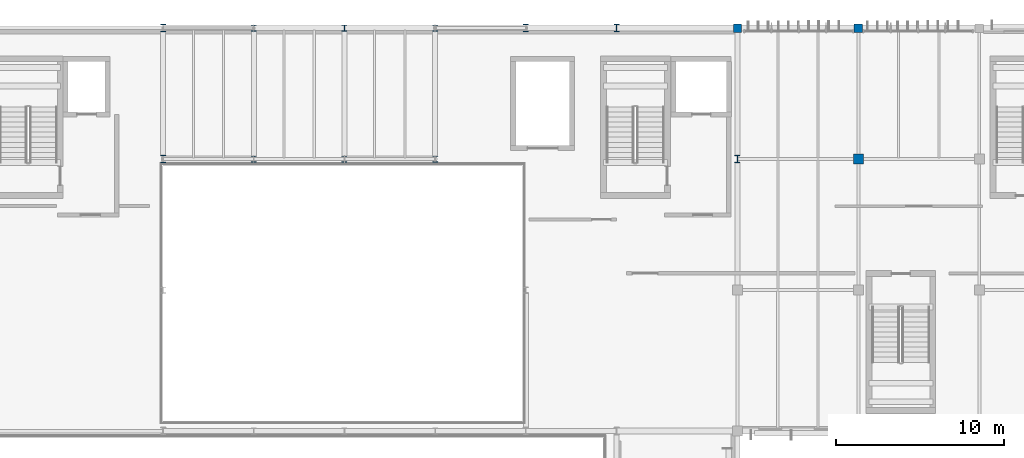
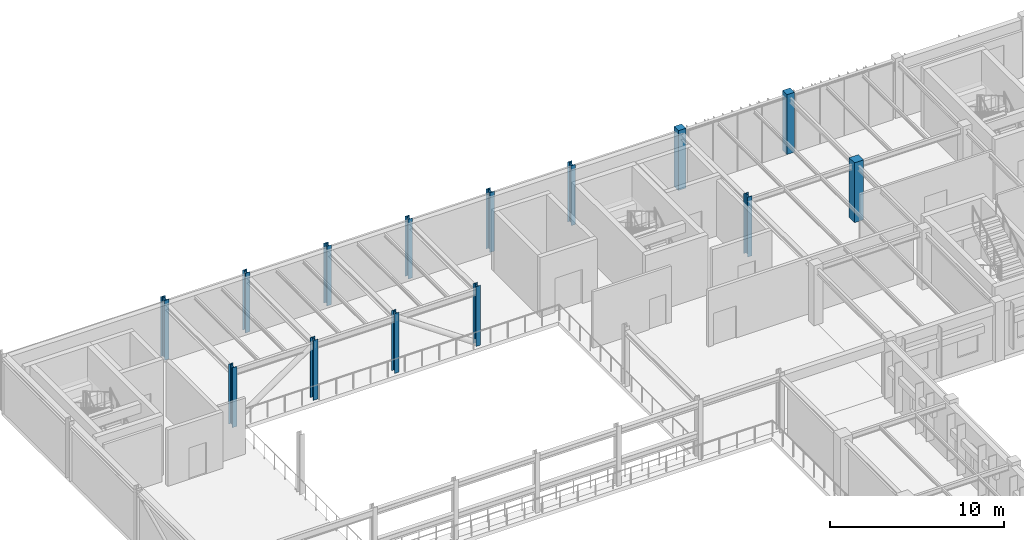
# One storey, part 10 of 104: 14 columns.
"""IFC4 building model written with IfcOpenShell, lengths in metres."""

from ifc_helpers import new_model, si_unit, direction, frame, origin, origin_2d, place, context, subcontext, project, spatial, rectangle, i_section, extrude, material, material_profile, profile_set, type_object, element, save


model = new_model("IFC4")

# Units and contexts
model_context = context("Model", 3, precision=1e-05, world=origin(), true_north=direction((0.0, 1.0)))
body_context = subcontext(model_context, "Body", "Model", "MODEL_VIEW")
ifc_project = project(units=[si_unit("LENGTHUNIT", "METRE"), si_unit("AREAUNIT", "SQUARE_METRE"), si_unit("VOLUMEUNIT", "CUBIC_METRE"), si_unit("PLANEANGLEUNIT", "RADIAN"), si_unit("MASSUNIT", "GRAM", prefix="KILO")], contexts=[model_context])

# Site, building, storey
site_placement = place(None, origin())
site = spatial("IfcSite", under=ifc_project, at=site_placement, CompositionType="ELEMENT")
building_placement = place(site_placement, origin())
building = spatial("IfcBuilding", under=site, at=building_placement, Name="Tazoul Stagehouse", CompositionType="ELEMENT")
storey_placement = place(building_placement, frame((0.0, 0.0, 9.0)))
storey = spatial("IfcBuildingStorey", under=building, at=storey_placement, Name="L02", CompositionType="ELEMENT", Elevation=9.0)

# Columns
ifc_material_1 = material(Name="Concrete C40/50", Category="concrete")
ifc_material_profile_1 = material_profile(ifc_material_1, rectangle(XDim=0.5, YDim=0.5, at=origin_2d()), Name="RC 500x500")
ifc_profile_set_1 = profile_set([ifc_material_profile_1], Name="Concrete C40/50")
column_type_1 = type_object("IfcColumnType", Name="RC Column 500x500 (Exterior)", PredefinedType="COLUMN", material=ifc_profile_set_1)
for number, where, z_axis, x_axis, name in (
    (1, (102.60009765625, 111.800048828125, 0.0), (0.0, 0.0, 1.0), (1.0, 0.0, 0.0), "L02 Column C-02E at 16/R"),
    (2, (109.800048828125, 111.800048828125, 0.0), (0.0, 0.0, 1.0), (1.0, 0.0, 0.0), "L02 Column C-02E at 17/R"),
):
    element("IfcColumn", number, at=place(storey_placement, frame(where, z_axis=z_axis, x_axis=x_axis)), inside=storey, type_object=column_type_1, Name=name, PredefinedType="COLUMN", context=body_context, shape_type="SweptSolid", body=[
        extrude(rectangle(XDim=0.5, YDim=0.5, at=origin_2d()), origin(), (0.0, 0.0, 1.0), 4.199951171875),
    ])
ifc_material_profile_2 = material_profile(ifc_material_1, rectangle(XDim=0.60009765625, YDim=0.60009765625, at=origin_2d()), Name="RC 600x600")
ifc_profile_set_2 = profile_set([ifc_material_profile_2], Name="Concrete C40/50")
column_type_2 = type_object("IfcColumnType", Name="RC Column 600x600", PredefinedType="COLUMN", material=ifc_profile_set_2)
column_placement = place(storey_placement, frame((109.800048828125, 104.0, 0.0), z_axis=(0.0, 0.0, 1.0), x_axis=(1.0, 0.0, 0.0)))
element("IfcColumn", 3, at=column_placement, inside=storey, type_object=column_type_2, Name="L02 Column C-03 at 17/Q", PredefinedType="COLUMN", context=body_context, shape_type="SweptSolid", body=[
    extrude(rectangle(XDim=0.60009765625, YDim=0.60009765625, at=origin_2d()), origin(), (0.0, 0.0, 1.0), 4.199951171875),
])
ifc_material_2 = material(Name="Steel S355", Category="steel")
ifc_material_profile_3 = material_profile(ifc_material_2, i_section(OverallWidth=0.300048828125, OverallDepth=0.360107421875, WebThickness=0.012451171875, FlangeThickness=0.0224609375, FilletRadius=0.027099609375, at=origin_2d()), Name="HEB 360")
ifc_profile_set_3 = profile_set([ifc_material_profile_3], Name="Steel S355")
column_type_3 = type_object("IfcColumnType", Name="Steel Column HEB 360", PredefinedType="COLUMN", material=ifc_profile_set_3)
for number, where, z_axis, x_axis, name in (
    (4, (73.800048828125, 104.0, 0.0), (0.0, 0.0, 1.0), (1.0, 0.0, 0.0), "L02 Column SC-03 at 11/Q"),
    (5, (79.199951171875, 104.0, 0.0), (0.0, 0.0, 1.0), (1.0, 0.0, 0.0), "L02 Column SC-03 at 12/Q"),
    (6, (84.60009765625, 104.0, 0.0), (0.0, 0.0, 1.0), (1.0, 0.0, 0.0), "L02 Column SC-03 at 13/Q"),
):
    element("IfcColumn", number, at=place(storey_placement, frame(where, z_axis=z_axis, x_axis=x_axis)), inside=storey, type_object=column_type_3, Name=name, PredefinedType="COLUMN", context=body_context, shape_type="SweptSolid", body=[
        extrude(i_section(OverallWidth=0.300048828125, OverallDepth=0.360107421875, WebThickness=0.012451171875, FlangeThickness=0.0224609375, FilletRadius=0.027099609375, at=origin_2d()), origin(), (0.0, 0.0, 1.0), 4.199951171875),
    ])
ifc_material_profile_4 = material_profile(ifc_material_2, i_section(OverallWidth=0.300048828125, OverallDepth=0.360107421875, WebThickness=0.012451171875, FlangeThickness=0.0224609375, FilletRadius=0.027099609375, at=origin_2d()), Name="HEB 360")
ifc_profile_set_4 = profile_set([ifc_material_profile_4], Name="Steel S355")
column_type_4 = type_object("IfcColumnType", Name="Steel Column HEB 360 (Exterior)", PredefinedType="COLUMN", material=ifc_profile_set_4)
for number, where, z_axis, x_axis, name in (
    (7, (73.800048828125, 111.800048828125, 0.0), (0.0, 0.0, 1.0), (1.0, 0.0, 0.0), "L02 Column SC-03E at 11/R"),
    (8, (79.199951171875, 111.800048828125, 0.0), (0.0, 0.0, 1.0), (1.0, 0.0, 0.0), "L02 Column SC-03E at 12/R"),
    (9, (84.60009765625, 111.800048828125, 0.0), (0.0, 0.0, 1.0), (1.0, 0.0, 0.0), "L02 Column SC-03E at 13/R"),
):
    element("IfcColumn", number, at=place(storey_placement, frame(where, z_axis=z_axis, x_axis=x_axis)), inside=storey, type_object=column_type_4, Name=name, PredefinedType="COLUMN", context=body_context, shape_type="SweptSolid", body=[
        extrude(i_section(OverallWidth=0.300048828125, OverallDepth=0.360107421875, WebThickness=0.012451171875, FlangeThickness=0.0224609375, FilletRadius=0.027099609375, at=origin_2d()), origin(), (0.0, 0.0, 1.0), 4.199951171875),
    ])
ifc_material_profile_5 = material_profile(ifc_material_2, i_section(OverallWidth=0.300048828125, OverallDepth=0.449951171875, WebThickness=0.013916015625, FlangeThickness=0.02587890625, FilletRadius=0.027099609375, at=origin_2d()), Name="HEB 450")
ifc_profile_set_5 = profile_set([ifc_material_profile_5], Name="Steel S355")
column_type_5 = type_object("IfcColumnType", Name="Steel Column HEB 450", PredefinedType="COLUMN", material=ifc_profile_set_5)
for number, where, z_axis, x_axis, name in (
    (10, (68.39990234375, 104.0, 0.0), (0.0, 0.0, 1.0), (1.0, 0.0, 0.0), "L02 Column SC-05 at 10/Q"),
    (11, (102.60009765625, 104.0, 0.0), (0.0, 0.0, 1.0), (1.0, 0.0, 0.0), "L02 Column SC-05 at 16/Q"),
):
    element("IfcColumn", number, at=place(storey_placement, frame(where, z_axis=z_axis, x_axis=x_axis)), inside=storey, type_object=column_type_5, Name=name, PredefinedType="COLUMN", context=body_context, shape_type="SweptSolid", body=[
        extrude(i_section(OverallWidth=0.300048828125, OverallDepth=0.449951171875, WebThickness=0.013916015625, FlangeThickness=0.02587890625, FilletRadius=0.027099609375, at=origin_2d()), origin(), (0.0, 0.0, 1.0), 4.199951171875),
    ])
ifc_material_profile_6 = material_profile(ifc_material_2, i_section(OverallWidth=0.300048828125, OverallDepth=0.449951171875, WebThickness=0.013916015625, FlangeThickness=0.02587890625, FilletRadius=0.027099609375, at=origin_2d()), Name="HEB 450")
ifc_profile_set_6 = profile_set([ifc_material_profile_6], Name="Steel S355")
column_type_6 = type_object("IfcColumnType", Name="Steel Column HEB 450 (Exterior)", PredefinedType="COLUMN", material=ifc_profile_set_6)
for number, where, z_axis, x_axis, name in (
    (12, (68.39990234375, 111.800048828125, 0.0), (0.0, 0.0, 1.0), (1.0, 0.0, 0.0), "L02 Column SC-05E at 10/R"),
    (13, (90.0, 111.800048828125, 0.0), (0.0, 0.0, 1.0), (1.0, 0.0, 0.0), "L02 Column SC-05E at 14/R"),
    (14, (95.39990234375, 111.800048828125, 0.0), (0.0, 0.0, 1.0), (1.0, 0.0, 0.0), "L02 Column SC-05E at 15/R"),
):
    element("IfcColumn", number, at=place(storey_placement, frame(where, z_axis=z_axis, x_axis=x_axis)), inside=storey, type_object=column_type_6, Name=name, PredefinedType="COLUMN", context=body_context, shape_type="SweptSolid", body=[
        extrude(i_section(OverallWidth=0.300048828125, OverallDepth=0.449951171875, WebThickness=0.013916015625, FlangeThickness=0.02587890625, FilletRadius=0.027099609375, at=origin_2d()), origin(), (0.0, 0.0, 1.0), 4.199951171875),
    ])

save(model, "model.ifc")
